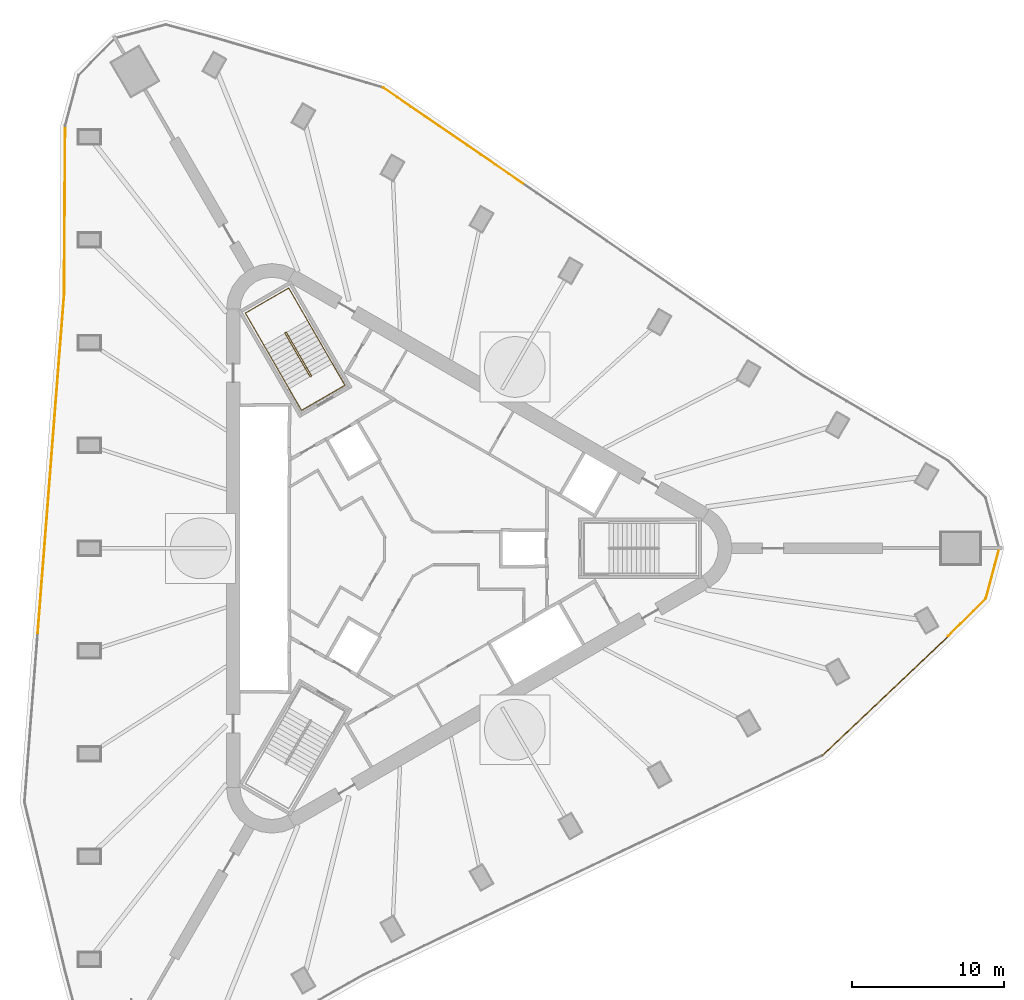
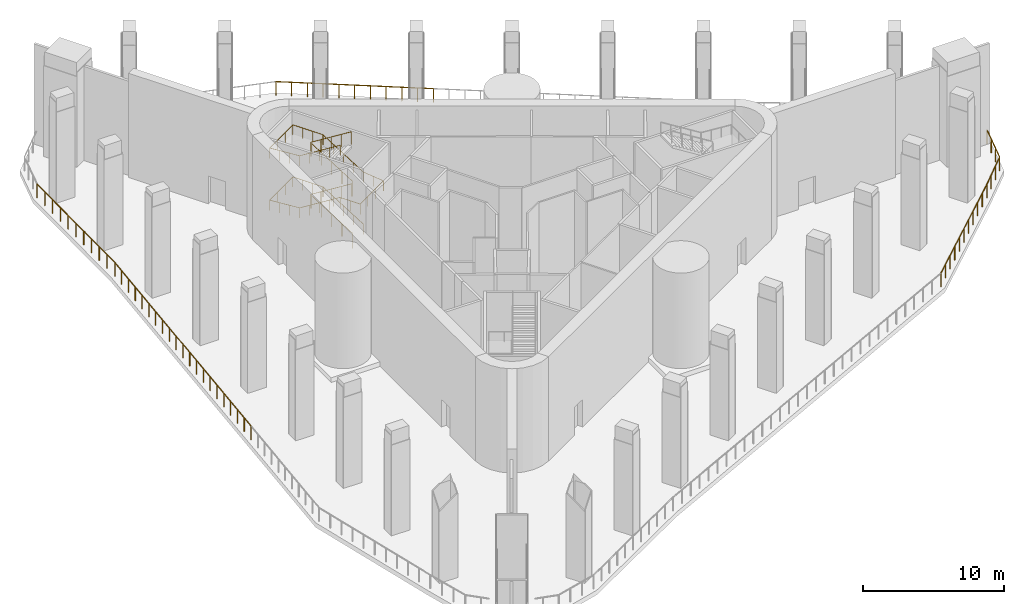
# One storey, part 8 of 10: 8 railings.
"""IFC4 building model written with IfcOpenShell, lengths in metres."""

from ifc_helpers import new_model, si_unit, direction, frame, origin, origin_2d, place, context, subcontext, project, spatial, circle, extrude, material, type_object, element, save


model = new_model("IFC4")

# Units and contexts
model_context = context("Model", 3, precision=1e-05, world=origin(), true_north=direction((0.0, 1.0)))
body_context = subcontext(model_context, "Body", "Model", "MODEL_VIEW")
ifc_project = project(units=[si_unit("LENGTHUNIT", "METRE"), si_unit("AREAUNIT", "SQUARE_METRE"), si_unit("VOLUMEUNIT", "CUBIC_METRE"), si_unit("PLANEANGLEUNIT", "RADIAN"), si_unit("MASSUNIT", "GRAM", prefix="KILO")], contexts=[model_context])

# Site, building, storey
site_placement = place(None, origin())
site = spatial("IfcSite", under=ifc_project, at=site_placement, CompositionType="ELEMENT")
building_placement = place(site_placement, origin())
building = spatial("IfcBuilding", under=site, at=building_placement, Name="Tanit Gate Tower", CompositionType="ELEMENT")
storey_placement = place(building_placement, frame((0.0, 0.0, 283.699951171875)))
storey = spatial("IfcBuildingStorey", under=building, at=storey_placement, Name="L64", CompositionType="ELEMENT", Elevation=283.699951171875)

# Railings
ifc_material_1 = material(Name="Steel S355 galvanised", Category="steel")
railing_type_1 = type_object("IfcRailingType", Name="Guard 1200 turbine slot balustrade", PredefinedType="GUARDRAIL", material=ifc_material_1)
railing_1_placement = place(storey_placement, frame((38.8095703125, 0.0, 0.0)))
element("IfcRailing", 1, at=railing_1_placement, inside=storey, type_object=railing_type_1, Name="Open storey guard L64 1", PredefinedType="GUARDRAIL", context=body_context, shape_type="SweptSolid", body=[
    extrude(circle(Radius=0.02392578125, at=origin_2d()), frame((0.0, 0.0, 1.17578125), z_axis=(-0.258799077462, -0.965931176381, 0.0), x_axis=(0.965931176381, -0.258799077462, 0.0)), (0.0, 0.0, 1.0), 3.422607421875),
    extrude(circle(Radius=0.02392578125, at=origin_2d()), frame((-0.8857421875, -3.305908203125, 1.17578125), z_axis=(-0.707106781187, -0.707106781187, 0.0), x_axis=(0.707106781187, -0.707106781187, 0.0)), (0.0, 0.0, 1.0), 3.499267578125),
    extrude(circle(Radius=0.02099609375, at=origin_2d()), origin(), (0.0, 0.0, 1.0), 1.15185546875),
    extrude(circle(Radius=0.02099609375, at=origin_2d()), frame((-0.295166015625, -1.10205078125, 0.0)), (0.0, 0.0, 1.0), 1.15185546875),
    extrude(circle(Radius=0.02099609375, at=origin_2d()), frame((-0.590576171875, -2.203857421875, 0.0)), (0.0, 0.0, 1.0), 1.15185546875),
    extrude(circle(Radius=0.02099609375, at=origin_2d()), frame((-0.8857421875, -3.305908203125, 0.0)), (0.0, 0.0, 1.0), 1.15185546875),
    extrude(circle(Radius=0.02099609375, at=origin_2d()), frame((-1.71044921875, -4.130615234375, 0.0)), (0.0, 0.0, 1.0), 1.15185546875),
    extrude(circle(Radius=0.02099609375, at=origin_2d()), frame((-2.535400390625, -4.95556640625, 0.0)), (0.0, 0.0, 1.0), 1.15185546875),
    extrude(circle(Radius=0.02099609375, at=origin_2d()), frame((-3.360107421875, -5.7802734375, 0.0)), (0.0, 0.0, 1.0), 1.15185546875),
])
railing_2_placement = place(storey_placement, frame((35.449462890625, -5.7802734375, 0.0)))
element("IfcRailing", 2, at=railing_2_placement, inside=storey, type_object=railing_type_1, Name="Open storey guard L64 1", PredefinedType="GUARDRAIL", context=body_context, shape_type="SweptSolid", body=[
    extrude(circle(Radius=0.02392578125, at=origin_2d()), frame((0.0, 0.0, 1.17578125), z_axis=(-0.725295615686, -0.688437556985, 0.0), x_axis=(0.688437556985, -0.725295615686, 0.0)), (0.0, 0.0, 1.0), 11.41943359375),
    extrude(circle(Radius=0.02099609375, at=origin_2d()), origin(), (0.0, 0.0, 1.0), 1.15185546875),
    extrude(circle(Radius=0.02099609375, at=origin_2d()), frame((-0.828125, -0.7861328125, 0.0)), (0.0, 0.0, 1.0), 1.15185546875),
    extrude(circle(Radius=0.02099609375, at=origin_2d()), frame((-1.656494140625, -1.572265625, 0.0)), (0.0, 0.0, 1.0), 1.15185546875),
    extrude(circle(Radius=0.02099609375, at=origin_2d()), frame((-2.48486328125, -2.3583984375, 0.0)), (0.0, 0.0, 1.0), 1.15185546875),
    extrude(circle(Radius=0.02099609375, at=origin_2d()), frame((-3.31298828125, -3.14453125, 0.0)), (0.0, 0.0, 1.0), 1.15185546875),
    extrude(circle(Radius=0.02099609375, at=origin_2d()), frame((-4.14111328125, -3.9306640625, 0.0)), (0.0, 0.0, 1.0), 1.15185546875),
    extrude(circle(Radius=0.02099609375, at=origin_2d()), frame((-4.969482421875, -4.717041015625, 0.0)), (0.0, 0.0, 1.0), 1.15185546875),
    extrude(circle(Radius=0.02099609375, at=origin_2d()), frame((-5.7978515625, -5.503173828125, 0.0)), (0.0, 0.0, 1.0), 1.15185546875),
    extrude(circle(Radius=0.02099609375, at=origin_2d()), frame((-6.6259765625, -6.289306640625, 0.0)), (0.0, 0.0, 1.0), 1.15185546875),
    extrude(circle(Radius=0.02099609375, at=origin_2d()), frame((-7.4541015625, -7.075439453125, 0.0)), (0.0, 0.0, 1.0), 1.15185546875),
    extrude(circle(Radius=0.02099609375, at=origin_2d()), frame((-8.282470703125, -7.861572265625, 0.0)), (0.0, 0.0, 1.0), 1.15185546875),
])
for number, where, name in (
    (3, (-24.529296875, -5.56494140625, 0.0), "Open storey guard L64 2"),
    (4, (-23.660888671875, 5.576416015625, 0.0), "Open storey guard L64 2"),
):
    element("IfcRailing", number, at=place(storey_placement, frame(where)), inside=storey, type_object=railing_type_1, Name=name, PredefinedType="GUARDRAIL", context=body_context, shape_type="SweptSolid", body=[
        extrude(circle(Radius=0.02392578125, at=origin_2d()), frame((0.0, 0.0, 1.17578125), z_axis=(0.077708863096, 0.996976094295, 0.0), x_axis=(-0.996976094295, 0.077708863096, 0.0)), (0.0, 0.0, 1.0), 11.175048828125),
        extrude(circle(Radius=0.02099609375, at=origin_2d()), origin(), (0.0, 0.0, 1.0), 1.15185546875),
        extrude(circle(Radius=0.02099609375, at=origin_2d()), frame((0.0869140625, 1.1142578125, 0.0)), (0.0, 0.0, 1.0), 1.15185546875),
        extrude(circle(Radius=0.02099609375, at=origin_2d()), frame((0.173583984375, 2.228271484375, 0.0)), (0.0, 0.0, 1.0), 1.15185546875),
        extrude(circle(Radius=0.02099609375, at=origin_2d()), frame((0.260498046875, 3.34228515625, 0.0)), (0.0, 0.0, 1.0), 1.15185546875),
        extrude(circle(Radius=0.02099609375, at=origin_2d()), frame((0.347412109375, 4.45654296875, 0.0)), (0.0, 0.0, 1.0), 1.15185546875),
        extrude(circle(Radius=0.02099609375, at=origin_2d()), frame((0.43408203125, 5.57080078125, 0.0)), (0.0, 0.0, 1.0), 1.15185546875),
        extrude(circle(Radius=0.02099609375, at=origin_2d()), frame((0.52099609375, 6.684814453125, 0.0)), (0.0, 0.0, 1.0), 1.15185546875),
        extrude(circle(Radius=0.02099609375, at=origin_2d()), frame((0.60791015625, 7.798828125, 0.0)), (0.0, 0.0, 1.0), 1.15185546875),
        extrude(circle(Radius=0.02099609375, at=origin_2d()), frame((0.69482421875, 8.9130859375, 0.0)), (0.0, 0.0, 1.0), 1.15185546875),
        extrude(circle(Radius=0.02099609375, at=origin_2d()), frame((0.781494140625, 10.02734375, 0.0)), (0.0, 0.0, 1.0), 1.15185546875),
        extrude(circle(Radius=0.02099609375, at=origin_2d()), frame((0.868408203125, 11.141357421875, 0.0)), (0.0, 0.0, 1.0), 1.15185546875),
    ])
railing_3_placement = place(storey_placement, frame((-22.79248046875, 16.7177734375, 0.0)))
element("IfcRailing", 5, at=railing_3_placement, inside=storey, type_object=railing_type_1, Name="Open storey guard L64 2", PredefinedType="GUARDRAIL", context=body_context, shape_type="SweptSolid", body=[
    extrude(circle(Radius=0.02392578125, at=origin_2d()), frame((0.0, 0.0, 1.17578125), z_axis=(0.00636356736, 0.9999797523, 0.0), x_axis=(-0.9999797523, 0.00636356736, 0.0)), (0.0, 0.0, 1.0), 11.1259765625),
    extrude(circle(Radius=0.02099609375, at=origin_2d()), origin(), (0.0, 0.0, 1.0), 1.15185546875),
    extrude(circle(Radius=0.02099609375, at=origin_2d()), frame((0.007080078125, 1.112548828125, 0.0)), (0.0, 0.0, 1.0), 1.15185546875),
    extrude(circle(Radius=0.02099609375, at=origin_2d()), frame((0.01416015625, 2.22509765625, 0.0)), (0.0, 0.0, 1.0), 1.15185546875),
    extrude(circle(Radius=0.02099609375, at=origin_2d()), frame((0.021240234375, 3.337646484375, 0.0)), (0.0, 0.0, 1.0), 1.15185546875),
    extrude(circle(Radius=0.02099609375, at=origin_2d()), frame((0.0283203125, 4.4501953125, 0.0)), (0.0, 0.0, 1.0), 1.15185546875),
    extrude(circle(Radius=0.02099609375, at=origin_2d()), frame((0.035400390625, 5.56298828125, 0.0)), (0.0, 0.0, 1.0), 1.15185546875),
    extrude(circle(Radius=0.02099609375, at=origin_2d()), frame((0.04248046875, 6.675537109375, 0.0)), (0.0, 0.0, 1.0), 1.15185546875),
    extrude(circle(Radius=0.02099609375, at=origin_2d()), frame((0.049560546875, 7.7880859375, 0.0)), (0.0, 0.0, 1.0), 1.15185546875),
    extrude(circle(Radius=0.02099609375, at=origin_2d()), frame((0.056640625, 8.900634765625, 0.0)), (0.0, 0.0, 1.0), 1.15185546875),
    extrude(circle(Radius=0.02099609375, at=origin_2d()), frame((0.063720703125, 10.01318359375, 0.0)), (0.0, 0.0, 1.0), 1.15185546875),
    extrude(circle(Radius=0.02099609375, at=origin_2d()), frame((0.07080078125, 11.125732421875, 0.0)), (0.0, 0.0, 1.0), 1.15185546875),
])
railing_4_placement = place(storey_placement, frame((-1.769287109375, 30.34814453125, 0.0)))
element("IfcRailing", 6, at=railing_4_placement, inside=storey, type_object=railing_type_1, Name="Open storey guard L64 2", PredefinedType="GUARDRAIL", context=body_context, shape_type="SweptSolid", body=[
    extrude(circle(Radius=0.02392578125, at=origin_2d()), frame((0.0, 0.0, 1.17578125), z_axis=(0.824547726099, -0.565792406616, 0.0), x_axis=(0.565792406616, 0.824547726099, 0.0)), (0.0, 0.0, 1.0), 11.175048828125),
    extrude(circle(Radius=0.02099609375, at=origin_2d()), origin(), (0.0, 0.0, 1.0), 1.15185546875),
    extrude(circle(Radius=0.02099609375, at=origin_2d()), frame((0.92138671875, -0.63232421875, 0.0)), (0.0, 0.0, 1.0), 1.15185546875),
    extrude(circle(Radius=0.02099609375, at=origin_2d()), frame((1.8427734375, -1.2646484375, 0.0)), (0.0, 0.0, 1.0), 1.15185546875),
    extrude(circle(Radius=0.02099609375, at=origin_2d()), frame((2.764404296875, -1.896728515625, 0.0)), (0.0, 0.0, 1.0), 1.15185546875),
    extrude(circle(Radius=0.02099609375, at=origin_2d()), frame((3.685791015625, -2.529052734375, 0.0)), (0.0, 0.0, 1.0), 1.15185546875),
    extrude(circle(Radius=0.02099609375, at=origin_2d()), frame((4.607177734375, -3.161376953125, 0.0)), (0.0, 0.0, 1.0), 1.15185546875),
    extrude(circle(Radius=0.02099609375, at=origin_2d()), frame((5.528564453125, -3.793701171875, 0.0)), (0.0, 0.0, 1.0), 1.15185546875),
    extrude(circle(Radius=0.02099609375, at=origin_2d()), frame((6.449951171875, -4.426025390625, 0.0)), (0.0, 0.0, 1.0), 1.15185546875),
    extrude(circle(Radius=0.02099609375, at=origin_2d()), frame((7.37158203125, -5.05810546875, 0.0)), (0.0, 0.0, 1.0), 1.15185546875),
    extrude(circle(Radius=0.02099609375, at=origin_2d()), frame((8.29296875, -5.6904296875, 0.0)), (0.0, 0.0, 1.0), 1.15185546875),
    extrude(circle(Radius=0.02099609375, at=origin_2d()), frame((9.21435546875, -6.32275390625, 0.0)), (0.0, 0.0, 1.0), 1.15185546875),
])
ifc_material_2 = material(Name="Stainless steel balustrade", Category="steel")
railing_type_2 = type_object("IfcRailingType", Name="INT-STAIR-GUARD", PredefinedType="GUARDRAIL", material=ifc_material_2)
railing_5_placement = place(storey_placement, frame((-6.527099609375, 11.29345703125, 0.0)))
element("IfcRailing", 7, at=railing_5_placement, inside=storey, type_object=railing_type_2, Name="L64 S2 stair guard 1", PredefinedType="GUARDRAIL", context=body_context, shape_type="SweptSolid", body=[
    extrude(circle(Radius=0.02392578125, at=origin_2d()), frame((0.0, 0.0, 1.076171875), z_axis=(0.868243142124, 0.496138938357, 0.0), x_axis=(-0.496138938357, 0.868243142124, 0.0)), (0.0, 0.0, 1.0), 0.01171875),
    extrude(circle(Radius=0.02392578125, at=origin_2d()), frame((0.01025390625, 0.005859375, 1.076171875), z_axis=(0.091365023295, 0.341096086969, 0.935577838543), x_axis=(-0.965948051503, 0.258736085224, 0.0)), (0.0, 0.0, 1.0), 0.200439453125),
    extrude(circle(Radius=0.02392578125, at=origin_2d()), frame((0.028564453125, 0.07421875, 1.263671875), z_axis=(-0.423976462191, 0.734399003612, 0.530001946225), x_axis=(-0.866040211805, -0.499974350878, 0.0)), (0.0, 0.0, 1.0), 3.8916015625),
    extrude(circle(Radius=0.02392578125, at=origin_2d()), frame((-1.621337890625, 2.93212890625, 3.326171875), z_axis=(-0.965948051503, 0.258736085224, 0.0), x_axis=(-0.258736085224, -0.965948051503, 0.0)), (0.0, 0.0, 1.0), 0.07080078125),
    extrude(circle(Radius=0.02392578125, at=origin_2d()), frame((-1.689697265625, 2.950439453125, 3.326171875), z_axis=(-0.873197702015, -0.487366159264, 0.0), x_axis=(0.487366159264, -0.873197702015, 0.0)), (0.0, 0.0, 1.0), 0.011962890625),
    extrude(circle(Radius=0.02392578125, at=origin_2d()), frame((-1.7001953125, 2.944580078125, 3.326171875), z_axis=(-0.091365023295, -0.341096086969, 0.935577838543), x_axis=(0.965948051503, -0.258736085224, 0.0)), (0.0, 0.0, 1.0), 0.200439453125),
    extrude(circle(Radius=0.02392578125, at=origin_2d()), frame((-1.718505859375, 2.876220703125, 3.513671875), z_axis=(0.424027919761, -0.734379468667, 0.529987848223), x_axis=(0.866008176907, 0.50002983664, 0.0)), (0.0, 0.0, 1.0), 3.8916015625),
    extrude(circle(Radius=0.02392578125, at=origin_2d()), frame((-0.068359375, 0.018310546875, 5.576171875), z_axis=(0.965948051503, -0.258736085224, 0.0), x_axis=(0.258736085224, 0.965948051503, 0.0)), (0.0, 0.0, 1.0), 0.07080078125),
    extrude(circle(Radius=0.02392578125, at=origin_2d()), frame((0.0, 0.0, 5.576171875), z_axis=(0.868243142124, 0.496138938357, 0.0), x_axis=(-0.496138938357, 0.868243142124, 0.0)), (0.0, 0.0, 1.0), 0.01171875),
    extrude(circle(Radius=0.02392578125, at=origin_2d()), frame((0.01025390625, 0.005859375, 5.576171875), z_axis=(0.091365023295, 0.341096086969, 0.935577838543), x_axis=(-0.965948051503, 0.258736085224, 0.0)), (0.0, 0.0, 1.0), 0.200439453125),
    extrude(circle(Radius=0.02392578125, at=origin_2d()), frame((0.028564453125, 0.07421875, 5.763671875), z_axis=(-0.423976462191, 0.734399003612, 0.530001946225), x_axis=(-0.866040211805, -0.499974350878, 0.0)), (0.0, 0.0, 1.0), 3.8916015625),
    extrude(circle(Radius=0.02392578125, at=origin_2d()), frame((-1.621337890625, 2.93212890625, 7.826171875), z_axis=(-0.965948051503, 0.258736085224, 0.0), x_axis=(-0.258736085224, -0.965948051503, 0.0)), (0.0, 0.0, 1.0), 0.07080078125),
    extrude(circle(Radius=0.02392578125, at=origin_2d()), frame((-1.689697265625, 2.950439453125, 7.826171875), z_axis=(-0.873197702015, -0.487366159264, 0.0), x_axis=(0.487366159264, -0.873197702015, 0.0)), (0.0, 0.0, 1.0), 0.011962890625),
    extrude(circle(Radius=0.02392578125, at=origin_2d()), frame((-1.7001953125, 2.944580078125, 7.826171875), z_axis=(-0.091365023295, -0.341096086969, 0.935577838543), x_axis=(0.965948051503, -0.258736085224, 0.0)), (0.0, 0.0, 1.0), 0.200439453125),
    extrude(circle(Radius=0.02392578125, at=origin_2d()), frame((-1.718505859375, 2.876220703125, 8.013671875), z_axis=(0.424027919761, -0.734379468667, 0.529987848223), x_axis=(0.866008176907, 0.50002983664, 0.0)), (0.0, 0.0, 1.0), 3.8916015625),
    extrude(circle(Radius=0.02099609375, at=origin_2d()), origin(), (0.0, 0.0, 1.0), 1.052001953125),
    extrude(circle(Radius=0.02099609375, at=origin_2d()), frame((0.01025390625, 0.005859375, 0.0)), (0.0, 0.0, 1.0), 1.052001953125),
    extrude(circle(Radius=0.02099609375, at=origin_2d()), frame((0.028564453125, 0.07421875, 0.1875)), (0.0, 0.0, 1.0), 1.052001953125),
    extrude(circle(Radius=0.02099609375, at=origin_2d()), frame((-0.3837890625, 0.78857421875, 0.703125)), (0.0, 0.0, 1.0), 1.052001953125),
    extrude(circle(Radius=0.02099609375, at=origin_2d()), frame((-0.79638671875, 1.503173828125, 1.21875)), (0.0, 0.0, 1.0), 1.052001953125),
    extrude(circle(Radius=0.02099609375, at=origin_2d()), frame((-1.208984375, 2.2177734375, 1.734375)), (0.0, 0.0, 1.0), 1.052001953125),
    extrude(circle(Radius=0.02099609375, at=origin_2d()), frame((-1.621337890625, 2.93212890625, 2.25)), (0.0, 0.0, 1.0), 1.052001953125),
    extrude(circle(Radius=0.02099609375, at=origin_2d()), frame((-1.689697265625, 2.950439453125, 2.25)), (0.0, 0.0, 1.0), 1.052001953125),
    extrude(circle(Radius=0.02099609375, at=origin_2d()), frame((-1.7001953125, 2.944580078125, 2.25)), (0.0, 0.0, 1.0), 1.052001953125),
    extrude(circle(Radius=0.02099609375, at=origin_2d()), frame((-1.718505859375, 2.876220703125, 2.4375)), (0.0, 0.0, 1.0), 1.052001953125),
    extrude(circle(Radius=0.02099609375, at=origin_2d()), frame((-1.305908203125, 2.16162109375, 2.953125)), (0.0, 0.0, 1.0), 1.052001953125),
    extrude(circle(Radius=0.02099609375, at=origin_2d()), frame((-0.8935546875, 1.447265625, 3.46875)), (0.0, 0.0, 1.0), 1.052001953125),
    extrude(circle(Radius=0.02099609375, at=origin_2d()), frame((-0.48095703125, 0.73291015625, 3.984375)), (0.0, 0.0, 1.0), 1.052001953125),
    extrude(circle(Radius=0.02099609375, at=origin_2d()), frame((-0.068359375, 0.018310546875, 4.5)), (0.0, 0.0, 1.0), 1.052001953125),
    extrude(circle(Radius=0.02099609375, at=origin_2d()), frame((0.0, 0.0, 4.5)), (0.0, 0.0, 1.0), 1.052001953125),
    extrude(circle(Radius=0.02099609375, at=origin_2d()), frame((0.01025390625, 0.005859375, 4.5)), (0.0, 0.0, 1.0), 1.052001953125),
    extrude(circle(Radius=0.02099609375, at=origin_2d()), frame((0.028564453125, 0.07421875, 4.6875)), (0.0, 0.0, 1.0), 1.052001953125),
    extrude(circle(Radius=0.02099609375, at=origin_2d()), frame((-0.3837890625, 0.78857421875, 5.203125)), (0.0, 0.0, 1.0), 1.052001953125),
    extrude(circle(Radius=0.02099609375, at=origin_2d()), frame((-0.79638671875, 1.503173828125, 5.71875)), (0.0, 0.0, 1.0), 1.052001953125),
    extrude(circle(Radius=0.02099609375, at=origin_2d()), frame((-1.208984375, 2.2177734375, 6.234375)), (0.0, 0.0, 1.0), 1.052001953125),
    extrude(circle(Radius=0.02099609375, at=origin_2d()), frame((-1.621337890625, 2.93212890625, 6.75)), (0.0, 0.0, 1.0), 1.052001953125),
    extrude(circle(Radius=0.02099609375, at=origin_2d()), frame((-1.689697265625, 2.950439453125, 6.75)), (0.0, 0.0, 1.0), 1.052001953125),
    extrude(circle(Radius=0.02099609375, at=origin_2d()), frame((-1.7001953125, 2.944580078125, 6.75)), (0.0, 0.0, 1.0), 1.052001953125),
    extrude(circle(Radius=0.02099609375, at=origin_2d()), frame((-1.718505859375, 2.876220703125, 6.9375)), (0.0, 0.0, 1.0), 1.052001953125),
    extrude(circle(Radius=0.02099609375, at=origin_2d()), frame((-1.305908203125, 2.16162109375, 7.453125)), (0.0, 0.0, 1.0), 1.052001953125),
    extrude(circle(Radius=0.02099609375, at=origin_2d()), frame((-0.8935546875, 1.447265625, 7.96875)), (0.0, 0.0, 1.0), 1.052001953125),
    extrude(circle(Radius=0.02099609375, at=origin_2d()), frame((-0.48095703125, 0.73291015625, 8.484375)), (0.0, 0.0, 1.0), 1.052001953125),
    extrude(circle(Radius=0.02099609375, at=origin_2d()), frame((-0.068359375, 0.018310546875, 9.0)), (0.0, 0.0, 1.0), 1.052001953125),
])
ifc_material_3 = material(Name="Stainless steel handrail", Category="steel")
railing_type_3 = type_object("IfcRailingType", Name="INT-STAIR-HANDRAIL", PredefinedType="HANDRAIL", material=ifc_material_3)
railing_6_placement = place(storey_placement, frame((-5.1181640625, 12.164794921875, 0.1875)))
element("IfcRailing", 8, at=railing_6_placement, inside=storey, type_object=railing_type_3, Name="L64 S2 stair handrail 1", PredefinedType="HANDRAIL", context=body_context, shape_type="SweptSolid", body=[
    extrude(circle(Radius=0.02392578125, at=origin_2d()), frame((0.0, 0.0, 0.8759765625), z_axis=(-0.423976462191, 0.734399003612, 0.530001946225), x_axis=(-0.866040211805, -0.499974350878, 0.0)), (0.0, 0.0, 1.0), 3.8916015625),
    extrude(circle(Radius=0.02392578125, at=origin_2d()), frame((-1.64990234375, 2.85791015625, 2.9384765625), z_axis=(-0.500009278584, 0.866020046725, 0.0), x_axis=(-0.866020046725, -0.500009278584, 0.0)), (0.0, 0.0, 1.0), 2.4560546875),
    extrude(circle(Radius=0.02392578125, at=origin_2d()), frame((-2.8779296875, 4.98486328125, 2.9384765625), z_axis=(-0.866008176907, -0.50002983664, 0.0), x_axis=(0.50002983664, -0.866008176907, 0.0)), (0.0, 0.0, 1.0), 3.300048828125),
    extrude(circle(Radius=0.02392578125, at=origin_2d()), frame((-5.73583984375, 3.334716796875, 2.9384765625), z_axis=(0.498558512763, -0.863507308786, 0.076121856422), x_axis=(0.866020046725, 0.500009278584, 0.0)), (0.0, 0.0, 1.0), 2.463134765625),
    extrude(circle(Radius=0.02392578125, at=origin_2d()), frame((-4.5078125, 1.207763671875, 3.1259765625), z_axis=(0.424027919761, -0.734379468667, 0.529987848223), x_axis=(0.866008176907, 0.50002983664, 0.0)), (0.0, 0.0, 1.0), 3.8916015625),
    extrude(circle(Radius=0.02392578125, at=origin_2d()), frame((-2.857666015625, -1.650146484375, 5.1884765625), z_axis=(0.499941024108, -0.866059450854, 0.0), x_axis=(0.866059450854, 0.499941024108, 0.0)), (0.0, 0.0, 1.0), 1.643798828125),
    extrude(circle(Radius=0.02392578125, at=origin_2d()), frame((-2.035888671875, -3.07373046875, 5.1884765625), z_axis=(0.866040211805, 0.499974350878, 0.0), x_axis=(-0.499974350878, 0.866040211805, 0.0)), (0.0, 0.0, 1.0), 3.300048828125),
    extrude(circle(Radius=0.02392578125, at=origin_2d()), frame((0.822021484375, -1.423828125, 5.1884765625), z_axis=(-0.496767975462, 0.860454657824, 0.113310901442), x_axis=(-0.866032269107, -0.499988108725, 0.0)), (0.0, 0.0, 1.0), 1.65478515625),
    extrude(circle(Radius=0.02392578125, at=origin_2d()), frame((0.0, 0.0, 5.3759765625), z_axis=(-0.423976462191, 0.734399003612, 0.530001946225), x_axis=(-0.866040211805, -0.499974350878, 0.0)), (0.0, 0.0, 1.0), 3.8916015625),
    extrude(circle(Radius=0.02392578125, at=origin_2d()), frame((-1.64990234375, 2.85791015625, 7.4384765625), z_axis=(-0.500009278584, 0.866020046725, 0.0), x_axis=(-0.866020046725, -0.500009278584, 0.0)), (0.0, 0.0, 1.0), 2.4560546875),
    extrude(circle(Radius=0.02392578125, at=origin_2d()), frame((-2.8779296875, 4.98486328125, 7.4384765625), z_axis=(-0.866008176907, -0.50002983664, 0.0), x_axis=(0.50002983664, -0.866008176907, 0.0)), (0.0, 0.0, 1.0), 3.300048828125),
    extrude(circle(Radius=0.02392578125, at=origin_2d()), frame((-5.73583984375, 3.334716796875, 7.4384765625), z_axis=(0.498558512763, -0.863507308786, 0.076121856422), x_axis=(0.866020046725, 0.500009278584, 0.0)), (0.0, 0.0, 1.0), 2.463134765625),
    extrude(circle(Radius=0.02392578125, at=origin_2d()), frame((-4.5078125, 1.207763671875, 7.6259765625), z_axis=(0.424027919761, -0.734379468667, 0.529987848223), x_axis=(0.866008176907, 0.50002983664, 0.0)), (0.0, 0.0, 1.0), 3.8916015625),
    extrude(circle(Radius=0.02099609375, at=origin_2d()), origin(), (0.0, 0.0, 1.0), 0.851806640625),
    extrude(circle(Radius=0.02099609375, at=origin_2d()), frame((-0.41259765625, 0.71435546875, 0.515625)), (0.0, 0.0, 1.0), 0.851806640625),
    extrude(circle(Radius=0.02099609375, at=origin_2d()), frame((-0.824951171875, 1.428955078125, 1.03125)), (0.0, 0.0, 1.0), 0.851806640625),
    extrude(circle(Radius=0.02099609375, at=origin_2d()), frame((-1.2373046875, 2.1435546875, 1.546875)), (0.0, 0.0, 1.0), 0.851806640625),
    extrude(circle(Radius=0.02099609375, at=origin_2d()), frame((-1.64990234375, 2.85791015625, 2.0625)), (0.0, 0.0, 1.0), 0.851806640625),
    extrude(circle(Radius=0.02099609375, at=origin_2d()), frame((-2.059326171875, 3.56689453125, 2.0625)), (0.0, 0.0, 1.0), 0.851806640625),
    extrude(circle(Radius=0.02099609375, at=origin_2d()), frame((-2.468505859375, 4.27587890625, 2.0625)), (0.0, 0.0, 1.0), 0.851806640625),
    extrude(circle(Radius=0.02099609375, at=origin_2d()), frame((-2.8779296875, 4.98486328125, 2.0625)), (0.0, 0.0, 1.0), 0.851806640625),
    extrude(circle(Radius=0.02099609375, at=origin_2d()), frame((-3.83056640625, 4.434814453125, 2.0625)), (0.0, 0.0, 1.0), 0.851806640625),
    extrude(circle(Radius=0.02099609375, at=origin_2d()), frame((-4.783203125, 3.884765625, 2.0625)), (0.0, 0.0, 1.0), 0.851806640625),
    extrude(circle(Radius=0.02099609375, at=origin_2d()), frame((-5.73583984375, 3.334716796875, 2.0625)), (0.0, 0.0, 1.0), 0.851806640625),
    extrude(circle(Radius=0.02099609375, at=origin_2d()), frame((-5.326416015625, 2.625732421875, 2.125)), (0.0, 0.0, 1.0), 0.851806640625),
    extrude(circle(Radius=0.02099609375, at=origin_2d()), frame((-4.917236328125, 1.916748046875, 2.1875)), (0.0, 0.0, 1.0), 0.851806640625),
    extrude(circle(Radius=0.02099609375, at=origin_2d()), frame((-4.5078125, 1.207763671875, 2.25)), (0.0, 0.0, 1.0), 0.851806640625),
    extrude(circle(Radius=0.02099609375, at=origin_2d()), frame((-4.09521484375, 0.4931640625, 2.765625)), (0.0, 0.0, 1.0), 0.851806640625),
    extrude(circle(Radius=0.02099609375, at=origin_2d()), frame((-3.6826171875, -0.22119140625, 3.28125)), (0.0, 0.0, 1.0), 0.851806640625),
    extrude(circle(Radius=0.02099609375, at=origin_2d()), frame((-3.270263671875, -0.935546875, 3.796875)), (0.0, 0.0, 1.0), 0.851806640625),
    extrude(circle(Radius=0.02099609375, at=origin_2d()), frame((-2.857666015625, -1.650146484375, 4.3125)), (0.0, 0.0, 1.0), 0.851806640625),
    extrude(circle(Radius=0.02099609375, at=origin_2d()), frame((-2.44677734375, -2.36181640625, 4.3125)), (0.0, 0.0, 1.0), 0.851806640625),
    extrude(circle(Radius=0.02099609375, at=origin_2d()), frame((-2.035888671875, -3.07373046875, 4.3125)), (0.0, 0.0, 1.0), 0.851806640625),
    extrude(circle(Radius=0.02099609375, at=origin_2d()), frame((-1.083251953125, -2.523681640625, 4.3125)), (0.0, 0.0, 1.0), 0.851806640625),
    extrude(circle(Radius=0.02099609375, at=origin_2d()), frame((-0.130615234375, -1.973876953125, 4.3125)), (0.0, 0.0, 1.0), 0.851806640625),
    extrude(circle(Radius=0.02099609375, at=origin_2d()), frame((0.822021484375, -1.423828125, 4.3125)), (0.0, 0.0, 1.0), 0.851806640625),
    extrude(circle(Radius=0.02099609375, at=origin_2d()), frame((0.4111328125, -0.7119140625, 4.40625)), (0.0, 0.0, 1.0), 0.851806640625),
    extrude(circle(Radius=0.02099609375, at=origin_2d()), frame((0.0, 0.0, 4.5)), (0.0, 0.0, 1.0), 0.851806640625),
    extrude(circle(Radius=0.02099609375, at=origin_2d()), frame((-0.41259765625, 0.71435546875, 5.015625)), (0.0, 0.0, 1.0), 0.851806640625),
    extrude(circle(Radius=0.02099609375, at=origin_2d()), frame((-0.824951171875, 1.428955078125, 5.53125)), (0.0, 0.0, 1.0), 0.851806640625),
    extrude(circle(Radius=0.02099609375, at=origin_2d()), frame((-1.2373046875, 2.1435546875, 6.046875)), (0.0, 0.0, 1.0), 0.851806640625),
    extrude(circle(Radius=0.02099609375, at=origin_2d()), frame((-1.64990234375, 2.85791015625, 6.5625)), (0.0, 0.0, 1.0), 0.851806640625),
    extrude(circle(Radius=0.02099609375, at=origin_2d()), frame((-2.059326171875, 3.56689453125, 6.5625)), (0.0, 0.0, 1.0), 0.851806640625),
    extrude(circle(Radius=0.02099609375, at=origin_2d()), frame((-2.468505859375, 4.27587890625, 6.5625)), (0.0, 0.0, 1.0), 0.851806640625),
    extrude(circle(Radius=0.02099609375, at=origin_2d()), frame((-2.8779296875, 4.98486328125, 6.5625)), (0.0, 0.0, 1.0), 0.851806640625),
    extrude(circle(Radius=0.02099609375, at=origin_2d()), frame((-3.83056640625, 4.434814453125, 6.5625)), (0.0, 0.0, 1.0), 0.851806640625),
    extrude(circle(Radius=0.02099609375, at=origin_2d()), frame((-4.783203125, 3.884765625, 6.5625)), (0.0, 0.0, 1.0), 0.851806640625),
    extrude(circle(Radius=0.02099609375, at=origin_2d()), frame((-5.73583984375, 3.334716796875, 6.5625)), (0.0, 0.0, 1.0), 0.851806640625),
    extrude(circle(Radius=0.02099609375, at=origin_2d()), frame((-5.326416015625, 2.625732421875, 6.625)), (0.0, 0.0, 1.0), 0.851806640625),
    extrude(circle(Radius=0.02099609375, at=origin_2d()), frame((-4.917236328125, 1.916748046875, 6.6875)), (0.0, 0.0, 1.0), 0.851806640625),
    extrude(circle(Radius=0.02099609375, at=origin_2d()), frame((-4.5078125, 1.207763671875, 6.75)), (0.0, 0.0, 1.0), 0.851806640625),
    extrude(circle(Radius=0.02099609375, at=origin_2d()), frame((-4.09521484375, 0.4931640625, 7.265625)), (0.0, 0.0, 1.0), 0.851806640625),
    extrude(circle(Radius=0.02099609375, at=origin_2d()), frame((-3.6826171875, -0.22119140625, 7.78125)), (0.0, 0.0, 1.0), 0.851806640625),
    extrude(circle(Radius=0.02099609375, at=origin_2d()), frame((-3.270263671875, -0.935546875, 8.296875)), (0.0, 0.0, 1.0), 0.851806640625),
    extrude(circle(Radius=0.02099609375, at=origin_2d()), frame((-2.857666015625, -1.650146484375, 8.8125)), (0.0, 0.0, 1.0), 0.851806640625),
])

save(model, "model.ifc")
